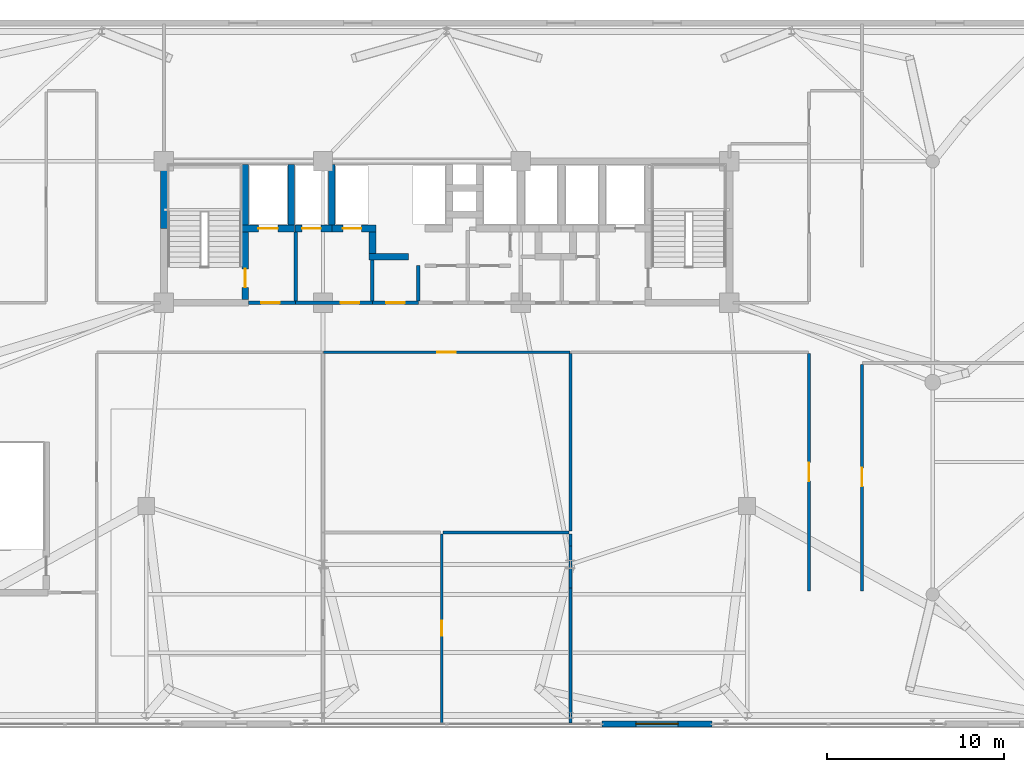
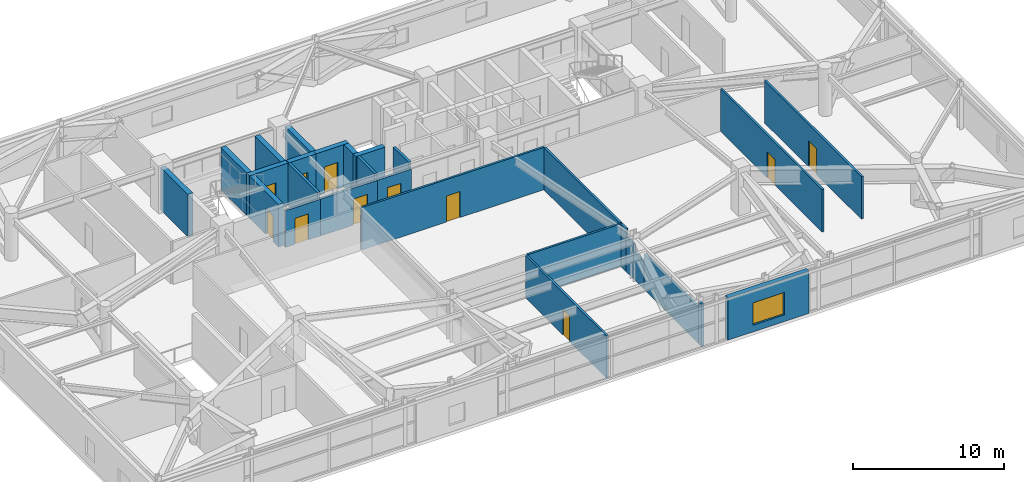
# One storey, part 21 of 27: 28 walls, 11 doors, 1 window, 12 openings.
"""IFC4 building model written with IfcOpenShell, lengths in metres."""

from ifc_helpers import new_model, si_unit, direction, frame, frame_2d, origin, place, context, subcontext, project, spatial, rectangle, extrude, source, transform, mapped, material, layer, layer_set, type_object, element, fill, save


model = new_model("IFC4")

# Units and contexts
model_context = context("Model", 3, precision=1e-05, world=origin(), true_north=direction((0.0, 1.0)))
body_context = subcontext(model_context, "Body", "Model", "MODEL_VIEW")
ifc_project = project(units=[si_unit("LENGTHUNIT", "METRE"), si_unit("AREAUNIT", "SQUARE_METRE"), si_unit("VOLUMEUNIT", "CUBIC_METRE"), si_unit("PLANEANGLEUNIT", "RADIAN"), si_unit("MASSUNIT", "GRAM", prefix="KILO")], contexts=[model_context])

# Site, building, storey
site_placement = place(None, origin())
site = spatial("IfcSite", under=ifc_project, at=site_placement, CompositionType="ELEMENT")
building_placement = place(site_placement, origin())
building = spatial("IfcBuilding", under=site, at=building_placement, Name="Taldren Reach Tower", CompositionType="ELEMENT")
storey_placement = place(building_placement, frame((0.0, 0.0, 12.949951171875)))
storey = spatial("IfcBuildingStorey", under=building, at=storey_placement, Name="L03", CompositionType="ELEMENT", Elevation=12.949951171875)

# Wall, opening, window
ifc_material_1 = material(Name="Pale Champagne Anodised Aluminium Cladding", Category="aluminium")
ifc_layer_1 = layer(ifc_material_1, 0.04, Name="Pale Champagne Anodised Aluminium Cladding", Category="aluminium")
ifc_material_2 = material(Name="Mineral Wool Thermal Insulation", Category="insulation")
ifc_layer_2 = layer(ifc_material_2, 0.08, Name="Mineral Wool Thermal Insulation", Category="insulation")
ifc_material_3 = material(Name="Concrete S50 (50 MPa)", Category="concrete")
ifc_layer_3 = layer(ifc_material_3, 0.22, Name="Concrete S50 (50 MPa)", Category="concrete")
ifc_layer_set_1 = layer_set([ifc_layer_1, ifc_layer_2, ifc_layer_3], Name="Pale Champagne Aluminium Cladding and Precast Concrete 50 MPa (S50)")
wall_type_1 = type_object("IfcWallType", Name="EW-POD-340", PredefinedType="SOLIDWALL", material=ifc_layer_set_1)
shared_shape_1 = source(origin(), body_context, "Body", "SweptSolid", [
    extrude(rectangle(XDim=6.199951171875, YDim=0.340087890625, at=frame_2d((3.10009765625, 0.0))), origin(), (0.0, 0.0, 1.0), 3.429931640625),
])
wall_1_placement = place(storey_placement, frame((43.800048828125, 0.169921875, 0.0), z_axis=(0.0, 0.0, 1.0), x_axis=(1.0, 0.0, 0.0)))
wall_1 = element("IfcWall", 1, at=wall_1_placement, inside=storey, type_object=wall_type_1, Name="Podium south facade wall L03-S3", PredefinedType="SOLIDWALL", context=body_context, shape_type="MappedRepresentation", body=[
    mapped(shared_shape_1, transform((0.0, 0.0, 0.0), scale=1.0)),
])
shared_shape_2 = source(origin(), body_context, "Body", "SweptSolid", [
    extrude(rectangle(XDim=2.39990234375, YDim=1.800048828125, at=frame_2d((1.199951171875, 0.89990234375))), frame((0.0, 0.18017578125, 0.0), z_axis=(0.0, -1.0, 0.0), x_axis=(1.0, 0.0, 0.0)), (0.0, 0.0, 1.0), 0.360107421875),
])
opening_1_placement = place(wall_1_placement, frame((1.89990234375, 0.0, 0.550048828125)))
opening_1 = element("IfcOpeningElement", 2, at=opening_1_placement, cuts=wall_1, Name="Opening W-2418", PredefinedType="OPENING", context=body_context, shape_type="MappedRepresentation", body=[
    mapped(shared_shape_2, transform((0.0, 0.0, 0.0), scale=1.0)),
])
ifc_material_4 = material(Name="Thermally Broken Aluminium and Low-E IGU", Category="aluminium")
window_type = type_object("IfcWindowType", Name="WN-POD-2400", PartitioningType="SINGLE_PANEL", PredefinedType="WINDOW", material=ifc_material_4)
shared_shape_3 = source(origin(), body_context, "Body", "SweptSolid", [
    extrude(rectangle(XDim=2.39990234375, YDim=1.800048828125, at=frame_2d((1.199951171875, 0.89990234375))), frame((0.0, 0.030029296875, 0.0), z_axis=(0.0, -1.0, 0.0), x_axis=(1.0, 0.0, 0.0)), (0.0, 0.0, 1.0), 0.06005859375),
])
window_placement = place(opening_1_placement, origin())
window = element("IfcWindow", 3, at=window_placement, inside=storey, type_object=window_type, Name="Podium clinical window L03-S3", OverallHeight=1.800048828125, OverallWidth=2.39990234375, PartitioningType="SINGLE_PANEL", PredefinedType="WINDOW", context=body_context, shape_type="MappedRepresentation", body=[
    mapped(shared_shape_3, transform((0.0, 0.0, 0.0), scale=1.0)),
])
fill(opening_1, window)

# Walls
ifc_material_5 = material(Name="Concrete S80 (80 MPa)", Category="concrete")
ifc_layer_4 = layer(ifc_material_5, 0.3798828125)
ifc_layer_set_2 = layer_set([ifc_layer_4], Name="Concrete S80 (80 MPa)")
wall_type_2 = type_object("IfcWallType", Name="IW-CORE-380", PredefinedType="SHEAR", material=ifc_layer_set_2)
shared_shape_4 = source(origin(), body_context, "Body", "SweptSolid", [
    extrude(rectangle(XDim=3.610107421875, YDim=0.3798828125, at=frame_2d((1.80517578125, 0.0))), origin(), (0.0, 0.0, 1.0), 3.429931640625),
])
wall_2_placement = place(storey_placement, frame((19.0, 28.199951171875, 0.0), z_axis=(0.0, 0.0, 1.0), x_axis=(0.0, 1.0, 0.0)))
element("IfcWall", 4, at=wall_2_placement, inside=storey, type_object=wall_type_2, Name="Rear Core Shear Wall W-CORE-L03-WEST2", PredefinedType="SHEAR", context=body_context, shape_type="MappedRepresentation", body=[
    mapped(shared_shape_4, transform((0.0, 0.0, 0.0), scale=1.0)),
])
shared_shape_5 = source(origin(), body_context, "Body", "SweptSolid", [
    extrude(rectangle(XDim=3.420166015625, YDim=0.3798828125, at=frame_2d((1.7099609375, 0.0))), origin(), (0.0, 0.0, 1.0), 3.429931640625),
])
for number, where, z_axis, x_axis, name in (
    (5, (23.60009765625, 28.389892578125, 0.0), (0.0, 0.0, 1.0), (0.0, 1.0, 0.0), "Rear Core Shear Wall W-INT-L03-001"),
    (6, (26.199951171875, 28.389892578125, 0.0), (0.0, 0.0, 1.0), (0.0, 1.0, 0.0), "Rear Core Shear Wall W-INT-L03-005"),
    (7, (28.5, 28.389892578125, 0.0), (0.0, 0.0, 1.0), (0.0, 1.0, 0.0), "Rear Core Shear Wall W-INT-L03-030"),
):
    element("IfcWall", number, at=place(storey_placement, frame(where, z_axis=z_axis, x_axis=x_axis)), inside=storey, type_object=wall_type_2, Name=name, PredefinedType="SHEAR", context=body_context, shape_type="MappedRepresentation", body=[
        mapped(shared_shape_5, transform((0.0, 0.0, 0.0), scale=1.0)),
    ])

# Wall, opening, door
shared_shape_6 = source(origin(), body_context, "Body", "SweptSolid", [
    extrude(rectangle(XDim=3.820068359375, YDim=0.3798828125, at=frame_2d((1.91015625, 0.0))), origin(), (0.0, 0.0, 1.0), 3.429931640625),
])
wall_3_placement = place(storey_placement, frame((23.60009765625, 24.18994140625, 0.0), z_axis=(0.0, 0.0, 1.0), x_axis=(0.0, 1.0, 0.0)))
wall_3 = element("IfcWall", 8, at=wall_3_placement, inside=storey, type_object=wall_type_2, Name="Rear Core Shear Wall W-INT-L03-002", PredefinedType="SHEAR", context=body_context, shape_type="MappedRepresentation", body=[
    mapped(shared_shape_6, transform((0.0, 0.0, 0.0), scale=1.0)),
])
shared_shape_7 = source(origin(), body_context, "Body", "SweptSolid", [
    extrude(rectangle(XDim=1.050048828125, YDim=2.10009765625, at=frame_2d((0.52490234375, 1.050048828125))), frame((0.0, 0.199951171875, 0.0), z_axis=(0.0, -1.0, 0.0), x_axis=(1.0, 0.0, 0.0)), (0.0, 0.0, 1.0), 0.39990234375),
])
opening_2_placement = place(wall_3_placement, frame((0.68505859375, 0.0, 0.0)))
opening_2 = element("IfcOpeningElement", 9, at=opening_2_placement, cuts=wall_3, Name="Opening DF-105", PredefinedType="OPENING", context=body_context, shape_type="MappedRepresentation", body=[
    mapped(shared_shape_7, transform((0.0, 0.0, 0.0), scale=1.0)),
])
ifc_material_6 = material(Name="Fire-Rated Care and Stair Exit Door")
door_type_1 = type_object("IfcDoorType", Name="ID-FIRE-105", OperationType="NOTDEFINED", PredefinedType="DOOR", material=ifc_material_6)
shared_shape_8 = source(origin(), body_context, "Body", "SweptSolid", [
    extrude(rectangle(XDim=1.050048828125, YDim=2.10009765625, at=frame_2d((0.52490234375, 1.050048828125))), frame((0.0, 0.02490234375, 0.0), z_axis=(0.0, -1.0, 0.0), x_axis=(1.0, 0.0, 0.0)), (0.0, 0.0, 1.0), 0.050048828125),
])
door_1_placement = place(opening_2_placement, origin())
door_1 = element("IfcDoor", 10, at=door_1_placement, inside=storey, type_object=door_type_1, Name="Fire Exit Stair Door DR-L03-001", OperationType="SINGLE_SWING_LEFT", OverallHeight=2.10009765625, OverallWidth=1.050048828125, PredefinedType="DOOR", context=body_context, shape_type="MappedRepresentation", body=[
    mapped(shared_shape_8, transform((0.0, 0.0, 0.0), scale=1.0)),
])
fill(opening_2, door_1)

shared_shape_9 = source(origin(), body_context, "Body", "SweptSolid", [
    extrude(rectangle(XDim=2.97998046875, YDim=0.3798828125, at=frame_2d((1.489990234375, 0.0))), origin(), (0.0, 0.0, 1.0), 3.429931640625),
])
wall_4_placement = place(storey_placement, frame((23.409912109375, 28.199951171875, 0.0), z_axis=(0.0, 0.0, 1.0), x_axis=(1.0, 0.0, 0.0)))
wall_4 = element("IfcWall", 11, at=wall_4_placement, inside=storey, type_object=wall_type_2, Name="Rear Core Shear Wall W-INT-L03-004", PredefinedType="SHEAR", context=body_context, shape_type="MappedRepresentation", body=[
    mapped(shared_shape_9, transform((0.0, 0.0, 0.0), scale=1.0)),
])
shared_shape_10 = source(origin(), body_context, "Body", "SweptSolid", [
    extrude(rectangle(XDim=1.10009765625, YDim=2.14990234375, at=frame_2d((0.550048828125, 1.074951171875))), frame((0.0, 0.199951171875, 0.0), z_axis=(0.0, -1.0, 0.0), x_axis=(1.0, 0.0, 0.0)), (0.0, 0.0, 1.0), 0.39990234375),
])
opening_3_placement = place(wall_4_placement, frame((0.93994140625, 0.0, 0.0)))
opening_3 = element("IfcOpeningElement", 12, at=opening_3_placement, cuts=wall_4, Name="Opening LD-FL1", PredefinedType="OPENING", context=body_context, shape_type="MappedRepresentation", body=[
    mapped(shared_shape_10, transform((0.0, 0.0, 0.0), scale=1.0)),
])
ifc_material_7 = material(Name="Stainless Steel Gr 316 Emergency Lift Landing Door", Category="steel")
door_type_2 = type_object("IfcDoorType", Name="LD-EMG-110", OperationType="SLIDING_TO_LEFT", PredefinedType="DOOR", material=ifc_material_7)
shared_shape_11 = source(origin(), body_context, "Body", "SweptSolid", [
    extrude(rectangle(XDim=1.10009765625, YDim=2.14990234375, at=frame_2d((0.550048828125, 1.074951171875))), frame((0.0, 0.02490234375, 0.0), z_axis=(0.0, -1.0, 0.0), x_axis=(1.0, 0.0, 0.0)), (0.0, 0.0, 1.0), 0.050048828125),
])
door_2_placement = place(opening_3_placement, origin())
door_2 = element("IfcDoor", 13, at=door_2_placement, inside=storey, type_object=door_type_2, Name="Lift Landing Door LD-FL1-L03", OperationType="SLIDING_TO_LEFT", OverallHeight=2.14990234375, OverallWidth=1.10009765625, PredefinedType="DOOR", context=body_context, shape_type="MappedRepresentation", body=[
    mapped(shared_shape_11, transform((0.0, 0.0, 0.0), scale=1.0)),
])
fill(opening_3, door_2)

# Wall
ifc_layer_5 = layer(ifc_material_3, 0.199951171875)
ifc_layer_set_3 = layer_set([ifc_layer_5], Name="Concrete S50 (50 MPa)")
wall_type_3 = type_object("IfcWallType", Name="IW-CORE-200", PredefinedType="SOLIDWALL", material=ifc_layer_set_3)
shared_shape_12 = source(origin(), body_context, "Body", "SweptSolid", [
    extrude(rectangle(XDim=3.909912109375, YDim=0.199951171875, at=frame_2d((1.955078125, 0.0))), origin(), (0.0, 0.0, 1.0), 3.429931640625),
])
wall_5_placement = place(storey_placement, frame((26.449951171875, 24.10009765625, 0.0), z_axis=(0.0, 0.0, 1.0), x_axis=(0.0, 1.0, 0.0)))
element("IfcWall", 14, at=wall_5_placement, inside=storey, type_object=wall_type_3, Name="Rear Core Shear Wall W-INT-L03-006", PredefinedType="SOLIDWALL", context=body_context, shape_type="MappedRepresentation", body=[
    mapped(shared_shape_12, transform((0.0, 0.0, 0.0), scale=1.0)),
])

# Wall, opening, door
shared_shape_13 = source(origin(), body_context, "Body", "SweptSolid", [
    extrude(rectangle(XDim=2.659912109375, YDim=0.199951171875, at=frame_2d((1.330078125, 0.0))), origin(), (0.0, 0.0, 1.0), 2.969970703125),
])
wall_6_placement = place(storey_placement, frame((23.7900390625, 24.0, 0.0), z_axis=(0.0, 0.0, 1.0), x_axis=(1.0, 0.0, 0.0)))
wall_6 = element("IfcWall", 15, at=wall_6_placement, inside=storey, type_object=wall_type_3, Name="Rear Core Shear Wall W-INT-L03-007", PredefinedType="SOLIDWALL", context=body_context, shape_type="MappedRepresentation", body=[
    mapped(shared_shape_13, transform((0.0, 0.0, 0.0), scale=1.0)),
])
shared_shape_14 = source(origin(), body_context, "Body", "SweptSolid", [
    extrude(rectangle(XDim=1.050048828125, YDim=2.10009765625, at=frame_2d((0.52490234375, 1.050048828125))), frame((0.0, 0.10986328125, 0.0), z_axis=(0.0, -1.0, 0.0), x_axis=(1.0, 0.0, 0.0)), (0.0, 0.0, 1.0), 0.219970703125),
])
opening_4_placement = place(wall_6_placement, frame((0.7099609375, 0.0, 0.0)))
opening_4 = element("IfcOpeningElement", 16, at=opening_4_placement, cuts=wall_6, Name="Opening DF-105", PredefinedType="OPENING", context=body_context, shape_type="MappedRepresentation", body=[
    mapped(shared_shape_14, transform((0.0, 0.0, 0.0), scale=1.0)),
])
door_3_placement = place(opening_4_placement, origin())
door_3 = element("IfcDoor", 17, at=door_3_placement, inside=storey, type_object=door_type_1, Name="Interior Door DR-L03-002", OperationType="SINGLE_SWING_LEFT", OverallHeight=2.10009765625, OverallWidth=1.050048828125, PredefinedType="DOOR", context=body_context, shape_type="MappedRepresentation", body=[
    mapped(shared_shape_8, transform((0.0, 0.0, 0.0), scale=1.0)),
])
fill(opening_4, door_3)

# Walls
shared_shape_15 = source(origin(), body_context, "Body", "SweptSolid", [
    extrude(rectangle(XDim=1.219970703125, YDim=0.3798828125, at=frame_2d((0.60986328125, 0.0))), origin(), (0.0, 0.0, 1.0), 3.429931640625),
])
wall_7_placement = place(storey_placement, frame((30.800048828125, 28.010009765625, 0.0), z_axis=(0.0, 0.0, 1.0), x_axis=(0.0, -1.0, 0.0)))
element("IfcWall", 18, at=wall_7_placement, inside=storey, type_object=wall_type_2, Name="Rear Core Shear Wall W-INT-L03-022", PredefinedType="SHEAR", context=body_context, shape_type="MappedRepresentation", body=[
    mapped(shared_shape_15, transform((0.0, 0.0, 0.0), scale=1.0)),
])
shared_shape_16 = source(origin(), body_context, "Body", "SweptSolid", [
    extrude(rectangle(XDim=2.239990234375, YDim=0.3798828125, at=frame_2d((1.1201171875, 0.0))), origin(), (0.0, 0.0, 1.0), 3.429931640625),
])
wall_8_placement = place(storey_placement, frame((30.610107421875, 26.60009765625, 0.0), z_axis=(0.0, 0.0, 1.0), x_axis=(1.0, 0.0, 0.0)))
element("IfcWall", 19, at=wall_8_placement, inside=storey, type_object=wall_type_2, Name="Rear Core Shear Wall W-INT-L03-023", PredefinedType="SHEAR", context=body_context, shape_type="MappedRepresentation", body=[
    mapped(shared_shape_16, transform((0.0, 0.0, 0.0), scale=1.0)),
])

# Wall, opening, door
shared_shape_17 = source(origin(), body_context, "Body", "SweptSolid", [
    extrude(rectangle(XDim=2.070068359375, YDim=0.3798828125, at=frame_2d((1.03515625, 0.0))), origin(), (0.0, 0.0, 1.0), 3.429931640625),
])
wall_9_placement = place(storey_placement, frame((26.429931640625, 28.199951171875, 0.0), z_axis=(0.0, 0.0, 1.0), x_axis=(1.0, 0.0, 0.0)))
wall_9 = element("IfcWall", 20, at=wall_9_placement, inside=storey, type_object=wall_type_2, Name="Rear Core Shear Wall W-INT-L03-031", PredefinedType="SHEAR", context=body_context, shape_type="MappedRepresentation", body=[
    mapped(shared_shape_17, transform((0.0, 0.0, 0.0), scale=1.0)),
])
shared_shape_18 = source(origin(), body_context, "Body", "SweptSolid", [
    extrude(rectangle(XDim=1.050048828125, YDim=2.14990234375, at=frame_2d((0.52490234375, 1.074951171875))), frame((0.0, 0.199951171875, 0.0), z_axis=(0.0, -1.0, 0.0), x_axis=(1.0, 0.0, 0.0)), (0.0, 0.0, 1.0), 0.39990234375),
])
opening_5_placement = place(wall_9_placement, frame((0.39501953125, 0.0, 0.0)))
opening_5 = element("IfcOpeningElement", 21, at=opening_5_placement, cuts=wall_9, Name="Opening LD-PL1", PredefinedType="OPENING", context=body_context, shape_type="MappedRepresentation", body=[
    mapped(shared_shape_18, transform((0.0, 0.0, 0.0), scale=1.0)),
])
ifc_material_8 = material(Name="Stainless Steel Gr 316 Passenger Lift Landing Door", Category="steel")
door_type_3 = type_object("IfcDoorType", Name="LD-PAS-105", OperationType="SLIDING_TO_LEFT", PredefinedType="DOOR", material=ifc_material_8)
shared_shape_19 = source(origin(), body_context, "Body", "SweptSolid", [
    extrude(rectangle(XDim=1.050048828125, YDim=2.14990234375, at=frame_2d((0.52490234375, 1.074951171875))), frame((0.0, 0.02490234375, 0.0), z_axis=(0.0, -1.0, 0.0), x_axis=(1.0, 0.0, 0.0)), (0.0, 0.0, 1.0), 0.050048828125),
])
door_4_placement = place(opening_5_placement, origin())
door_4 = element("IfcDoor", 22, at=door_4_placement, inside=storey, type_object=door_type_3, Name="Lift Landing Door LD-PL1-L03", OperationType="SLIDING_TO_LEFT", OverallHeight=2.14990234375, OverallWidth=1.050048828125, PredefinedType="DOOR", context=body_context, shape_type="MappedRepresentation", body=[
    mapped(shared_shape_19, transform((0.0, 0.0, 0.0), scale=1.0)),
])
fill(opening_5, door_4)

shared_shape_20 = source(origin(), body_context, "Body", "SweptSolid", [
    extrude(rectangle(XDim=2.489990234375, YDim=0.3798828125, at=frame_2d((1.2451171875, 0.0))), origin(), (0.0, 0.0, 1.0), 3.429931640625),
])
wall_10_placement = place(storey_placement, frame((28.5, 28.199951171875, 0.0), z_axis=(0.0, 0.0, 1.0), x_axis=(1.0, 0.0, 0.0)))
wall_10 = element("IfcWall", 23, at=wall_10_placement, inside=storey, type_object=wall_type_2, Name="Rear Core Shear Wall W-INT-L03-032", PredefinedType="SHEAR", context=body_context, shape_type="MappedRepresentation", body=[
    mapped(shared_shape_20, transform((0.0, 0.0, 0.0), scale=1.0)),
])
opening_6_placement = place(wall_10_placement, frame((0.625, 0.0, 0.0)))
opening_6 = element("IfcOpeningElement", 24, at=opening_6_placement, cuts=wall_10, Name="Opening LD-PL2", PredefinedType="OPENING", context=body_context, shape_type="MappedRepresentation", body=[
    mapped(shared_shape_18, transform((0.0, 0.0, 0.0), scale=1.0)),
])
door_5_placement = place(opening_6_placement, origin())
door_5 = element("IfcDoor", 25, at=door_5_placement, inside=storey, type_object=door_type_3, Name="Lift Landing Door LD-PL2-L03", OperationType="SLIDING_TO_LEFT", OverallHeight=2.14990234375, OverallWidth=1.050048828125, PredefinedType="DOOR", context=body_context, shape_type="MappedRepresentation", body=[
    mapped(shared_shape_19, transform((0.0, 0.0, 0.0), scale=1.0)),
])
fill(opening_6, door_5)

# Wall
shared_shape_21 = source(origin(), body_context, "Body", "SweptSolid", [
    extrude(rectangle(XDim=2.309814453125, YDim=0.199951171875, at=frame_2d((1.15478515625, 0.0))), origin(), (0.0, 0.0, 1.0), 3.429931640625),
])
wall_11_placement = place(storey_placement, frame((30.800048828125, 26.409912109375, 0.0), z_axis=(0.0, 0.0, 1.0), x_axis=(0.0, -1.0, 0.0)))
element("IfcWall", 26, at=wall_11_placement, inside=storey, type_object=wall_type_3, Name="Rear Core Shear Wall W-INT-L03-033", PredefinedType="SOLIDWALL", context=body_context, shape_type="MappedRepresentation", body=[
    mapped(shared_shape_21, transform((0.0, 0.0, 0.0), scale=1.0)),
])

# Wall, opening, door
shared_shape_22 = source(origin(), body_context, "Body", "SweptSolid", [
    extrude(rectangle(XDim=4.35009765625, YDim=0.199951171875, at=frame_2d((2.175048828125, 0.0))), origin(), (0.0, 0.0, 1.0), 2.969970703125),
])
wall_12_placement = place(storey_placement, frame((30.800048828125, 24.0, 0.0), z_axis=(0.0, 0.0, 1.0), x_axis=(-1.0, 0.0, 0.0)))
wall_12 = element("IfcWall", 27, at=wall_12_placement, inside=storey, type_object=wall_type_3, Name="Rear Core Shear Wall W-INT-L03-034", PredefinedType="SOLIDWALL", context=body_context, shape_type="MappedRepresentation", body=[
    mapped(shared_shape_22, transform((0.0, 0.0, 0.0), scale=1.0)),
])
opening_7_placement = place(wall_12_placement, frame((0.75, 0.0, 0.0)))
opening_7 = element("IfcOpeningElement", 28, at=opening_7_placement, cuts=wall_12, Name="Opening DF-105", PredefinedType="OPENING", context=body_context, shape_type="MappedRepresentation", body=[
    mapped(shared_shape_14, transform((0.0, 0.0, 0.0), scale=1.0)),
])
door_6_placement = place(opening_7_placement, frame((1.050048828125, 0.0, 0.0), z_axis=(0.0, 0.0, 1.0), x_axis=(-1.0, 0.0, 0.0)))
door_6 = element("IfcDoor", 29, at=door_6_placement, inside=storey, type_object=door_type_1, Name="Interior Door DR-L03-005", OperationType="SINGLE_SWING_RIGHT", OverallHeight=2.10009765625, OverallWidth=1.050048828125, PredefinedType="DOOR", context=body_context, shape_type="MappedRepresentation", body=[
    mapped(shared_shape_8, transform((0.0, 0.0, 0.0), scale=1.0)),
])
fill(opening_7, door_6)

# Wall
shared_shape_23 = source(origin(), body_context, "Body", "SweptSolid", [
    extrude(rectangle(XDim=2.02001953125, YDim=0.199951171875, at=frame_2d((1.010009765625, 0.0))), origin(), (0.0, 0.0, 1.0), 3.429931640625),
])
wall_13_placement = place(storey_placement, frame((33.39990234375, 26.1201171875, 0.0), z_axis=(0.0, 0.0, 1.0), x_axis=(0.0, -1.0, 0.0)))
element("IfcWall", 30, at=wall_13_placement, inside=storey, type_object=wall_type_3, Name="Rear Core Shear Wall W-INT-L03-044", PredefinedType="SOLIDWALL", context=body_context, shape_type="MappedRepresentation", body=[
    mapped(shared_shape_23, transform((0.0, 0.0, 0.0), scale=1.0)),
])

# Wall, opening, door
shared_shape_24 = source(origin(), body_context, "Body", "SweptSolid", [
    extrude(rectangle(XDim=2.599853515625, YDim=0.199951171875, at=frame_2d((1.2998046875, 0.0))), origin(), (0.0, 0.0, 1.0), 2.969970703125),
])
wall_14_placement = place(storey_placement, frame((33.39990234375, 24.0, 0.0), z_axis=(0.0, 0.0, 1.0), x_axis=(-1.0, 0.0, 0.0)))
wall_14 = element("IfcWall", 31, at=wall_14_placement, inside=storey, type_object=wall_type_3, Name="Rear Core Shear Wall W-INT-L03-045", PredefinedType="SOLIDWALL", context=body_context, shape_type="MappedRepresentation", body=[
    mapped(shared_shape_24, transform((0.0, 0.0, 0.0), scale=1.0)),
])
opening_8_placement = place(wall_14_placement, frame((0.77490234375, 0.0, 0.0)))
opening_8 = element("IfcOpeningElement", 32, at=opening_8_placement, cuts=wall_14, Name="Opening DF-105", PredefinedType="OPENING", context=body_context, shape_type="MappedRepresentation", body=[
    mapped(shared_shape_14, transform((0.0, 0.0, 0.0), scale=1.0)),
])
door_7_placement = place(opening_8_placement, frame((1.050048828125, 0.0, 0.0), z_axis=(0.0, 0.0, 1.0), x_axis=(-1.0, 0.0, 0.0)))
door_7 = element("IfcDoor", 33, at=door_7_placement, inside=storey, type_object=door_type_1, Name="Interior Door DR-L03-006", OperationType="SINGLE_SWING_RIGHT", OverallHeight=2.10009765625, OverallWidth=1.050048828125, PredefinedType="DOOR", context=body_context, shape_type="MappedRepresentation", body=[
    mapped(shared_shape_8, transform((0.0, 0.0, 0.0), scale=1.0)),
])
fill(opening_8, door_7)

ifc_material_9 = material(Name="Fire-Rated Acoustic Plasterboard Stud Wall", Category="gypsum")
ifc_layer_6 = layer(ifc_material_9, 0.159912109375)
ifc_layer_set_4 = layer_set([ifc_layer_6], Name="Fire-Rated Acoustic Plasterboard Stud Wall")
wall_type_4 = type_object("IfcWallType", Name="IW-FIRE-160", PredefinedType="PARTITIONING", material=ifc_layer_set_4)
shared_shape_25 = source(origin(), body_context, "Body", "SweptSolid", [
    extrude(rectangle(XDim=13.440185546875, YDim=0.159912109375, at=frame_2d((6.72021484375, 0.0))), origin(), (0.0, 0.0, 1.0), 3.429931640625),
])
wall_15_placement = place(storey_placement, frame((55.5, 7.679931640625, 0.0), z_axis=(0.0, 0.0, 1.0), x_axis=(0.0, 1.0, 0.0)))
wall_15 = element("IfcWall", 34, at=wall_15_placement, inside=storey, type_object=wall_type_4, Name="Interior Partition Wall W-INT-L03-067", PredefinedType="PARTITIONING", context=body_context, shape_type="MappedRepresentation", body=[
    mapped(shared_shape_25, transform((0.0, 0.0, 0.0), scale=1.0)),
])
shared_shape_26 = source(origin(), body_context, "Body", "SweptSolid", [
    extrude(rectangle(XDim=1.050048828125, YDim=2.10009765625, at=frame_2d((0.52490234375, 1.050048828125))), frame((0.0, 0.08984375, 0.0), z_axis=(0.0, -1.0, 0.0), x_axis=(1.0, 0.0, 0.0)), (0.0, 0.0, 1.0), 0.179931640625),
])
opening_9_placement = place(wall_15_placement, frame((6.224853515625, 0.0, 0.0)))
opening_9 = element("IfcOpeningElement", 35, at=opening_9_placement, cuts=wall_15, Name="Opening DF-105", PredefinedType="OPENING", context=body_context, shape_type="MappedRepresentation", body=[
    mapped(shared_shape_26, transform((0.0, 0.0, 0.0), scale=1.0)),
])
door_8_placement = place(opening_9_placement, origin())
door_8 = element("IfcDoor", 36, at=door_8_placement, inside=storey, type_object=door_type_1, Name="Interior Door DR-L03-017", OperationType="SINGLE_SWING_RIGHT", OverallHeight=2.10009765625, OverallWidth=1.050048828125, PredefinedType="DOOR", context=body_context, shape_type="MappedRepresentation", body=[
    mapped(shared_shape_8, transform((0.0, 0.0, 0.0), scale=1.0)),
])
fill(opening_9, door_8)

shared_shape_27 = source(origin(), body_context, "Body", "SweptSolid", [
    extrude(rectangle(XDim=13.95947265625, YDim=0.159912109375, at=frame_2d((6.979736328125, 0.0))), origin(), (0.0, 0.0, 1.0), 3.429931640625),
])
wall_16_placement = place(storey_placement, frame((41.979736328125, 21.199951171875, 0.0), z_axis=(0.0, 0.0, 1.0), x_axis=(-1.0, 0.0, 0.0)))
wall_16 = element("IfcWall", 37, at=wall_16_placement, inside=storey, type_object=wall_type_4, Name="Interior Partition Wall W-INT-L03-066", PredefinedType="PARTITIONING", context=body_context, shape_type="MappedRepresentation", body=[
    mapped(shared_shape_27, transform((0.0, 0.0, 0.0), scale=1.0)),
])
opening_10_placement = place(wall_16_placement, frame((6.454833984375, 0.0, 0.0)))
opening_10 = element("IfcOpeningElement", 38, at=opening_10_placement, cuts=wall_16, Name="Opening DF-105", PredefinedType="OPENING", context=body_context, shape_type="MappedRepresentation", body=[
    mapped(shared_shape_26, transform((0.0, 0.0, 0.0), scale=1.0)),
])
door_9_placement = place(opening_10_placement, origin())
door_9 = element("IfcDoor", 39, at=door_9_placement, inside=storey, type_object=door_type_1, Name="Interior Door DR-L03-016", OperationType="SINGLE_SWING_LEFT", OverallHeight=2.10009765625, OverallWidth=1.050048828125, PredefinedType="DOOR", context=body_context, shape_type="MappedRepresentation", body=[
    mapped(shared_shape_8, transform((0.0, 0.0, 0.0), scale=1.0)),
])
fill(opening_10, door_9)

shared_shape_28 = source(origin(), body_context, "Body", "SweptSolid", [
    extrude(rectangle(XDim=12.840087890625, YDim=0.159912109375, at=frame_2d((6.419921875, 0.0))), origin(), (0.0, 0.0, 1.0), 3.429931640625),
])
wall_17_placement = place(storey_placement, frame((58.5, 20.52001953125, 0.0), z_axis=(0.0, 0.0, 1.0), x_axis=(0.0, -1.0, 0.0)))
wall_17 = element("IfcWall", 40, at=wall_17_placement, inside=storey, type_object=wall_type_4, Name="Interior Partition Wall W-INT-L03-076", PredefinedType="PARTITIONING", context=body_context, shape_type="MappedRepresentation", body=[
    mapped(shared_shape_28, transform((0.0, 0.0, 0.0), scale=1.0)),
])
opening_11_placement = place(wall_17_placement, frame((5.864990234375, 0.0, 0.0)))
opening_11 = element("IfcOpeningElement", 41, at=opening_11_placement, cuts=wall_17, Name="Opening DF-105", PredefinedType="OPENING", context=body_context, shape_type="MappedRepresentation", body=[
    mapped(shared_shape_26, transform((0.0, 0.0, 0.0), scale=1.0)),
])
door_10_placement = place(opening_11_placement, origin())
door_10 = element("IfcDoor", 42, at=door_10_placement, inside=storey, type_object=door_type_1, Name="Interior Door DR-L03-021", OperationType="SINGLE_SWING_RIGHT", OverallHeight=2.10009765625, OverallWidth=1.050048828125, PredefinedType="DOOR", context=body_context, shape_type="MappedRepresentation", body=[
    mapped(shared_shape_8, transform((0.0, 0.0, 0.0), scale=1.0)),
])
fill(opening_11, door_10)

# Walls
shared_shape_29 = source(origin(), body_context, "Body", "SweptSolid", [
    extrude(rectangle(XDim=1.37255859375, YDim=0.159912109375, at=frame_2d((0.686279296875, 0.0))), origin(), (0.0, 0.0, 1.0), 2.22998046875),
])
wall_18_placement = place(storey_placement, frame((42.0, 9.219970703125, 0.0), z_axis=(0.0, 0.0, 1.0), x_axis=(0.0, -1.0, 0.0)))
element("IfcWall", 43, at=wall_18_placement, inside=storey, type_object=wall_type_4, Name="Interior Partition Wall W-INT-L03-089 part 3", PredefinedType="PARTITIONING", context=body_context, shape_type="MappedRepresentation", body=[
    mapped(shared_shape_29, transform((0.0, 0.0, 0.0), scale=1.0)),
])
shared_shape_30 = source(origin(), body_context, "Body", "SweptSolid", [
    extrude(rectangle(XDim=7.197509765625, YDim=0.159912109375, at=frame_2d((3.5986328125, 0.0))), origin(), (0.0, 0.0, 1.0), 2.89697265625),
])
wall_19_placement = place(storey_placement, frame((42.0, 7.847412109375, 0.0), z_axis=(0.0, 0.0, 1.0), x_axis=(0.0, -1.0, 0.0)))
element("IfcWall", 44, at=wall_19_placement, inside=storey, type_object=wall_type_4, Name="Interior Partition Wall W-INT-L03-089 part 4", PredefinedType="PARTITIONING", context=body_context, shape_type="MappedRepresentation", body=[
    mapped(shared_shape_30, transform((0.0, 0.0, 0.0), scale=1.0)),
])

# Wall, opening, door
shared_shape_31 = source(origin(), body_context, "Body", "SweptSolid", [
    extrude(rectangle(XDim=10.68994140625, YDim=0.159912109375, at=frame_2d((5.344970703125, 0.0))), origin(), (0.0, 0.0, 1.0), 3.429931640625),
])
wall_20_placement = place(storey_placement, frame((34.719970703125, 10.919921875, 0.0), z_axis=(0.0, 0.0, 1.0), x_axis=(0.0, -1.0, 0.0)))
wall_20 = element("IfcWall", 45, at=wall_20_placement, inside=storey, type_object=wall_type_4, Name="Interior Partition Wall W-INT-L03-086", PredefinedType="PARTITIONING", context=body_context, shape_type="MappedRepresentation", body=[
    mapped(shared_shape_31, transform((0.0, 0.0, 0.0), scale=1.0)),
])
shared_shape_32 = source(origin(), body_context, "Body", "SweptSolid", [
    extrude(rectangle(XDim=0.860107421875, YDim=2.10009765625, at=frame_2d((0.43017578125, 1.050048828125))), frame((0.0, 0.08984375, 0.0), z_axis=(0.0, -1.0, 0.0), x_axis=(1.0, 0.0, 0.0)), (0.0, 0.0, 1.0), 0.179931640625),
])
opening_12_placement = place(wall_20_placement, frame((4.9150390625, 0.0, 0.0)))
opening_12 = element("IfcOpeningElement", 46, at=opening_12_placement, cuts=wall_20, Name="Opening DI-086", PredefinedType="OPENING", context=body_context, shape_type="MappedRepresentation", body=[
    mapped(shared_shape_32, transform((0.0, 0.0, 0.0), scale=1.0)),
])
ifc_material_10 = material(Name="Timber Bathroom Door", Category="wood")
door_type_4 = type_object("IfcDoorType", Name="ID-INT-086", OperationType="NOTDEFINED", PredefinedType="DOOR", material=ifc_material_10)
shared_shape_33 = source(origin(), body_context, "Body", "SweptSolid", [
    extrude(rectangle(XDim=0.860107421875, YDim=2.10009765625, at=frame_2d((0.43017578125, 1.050048828125))), frame((0.0, 0.02490234375, 0.0), z_axis=(0.0, -1.0, 0.0), x_axis=(1.0, 0.0, 0.0)), (0.0, 0.0, 1.0), 0.050048828125),
])
door_11_placement = place(opening_12_placement, frame((0.860107421875, 0.0, 0.0), z_axis=(0.0, 0.0, 1.0), x_axis=(-1.0, 0.0, 0.0)))
door_11 = element("IfcDoor", 47, at=door_11_placement, inside=storey, type_object=door_type_4, Name="Interior Door DR-L03-027", OperationType="SINGLE_SWING_LEFT", OverallHeight=2.10009765625, OverallWidth=0.860107421875, PredefinedType="DOOR", context=body_context, shape_type="MappedRepresentation", body=[
    mapped(shared_shape_33, transform((0.0, 0.0, 0.0), scale=1.0)),
])
fill(opening_12, door_11)

# Walls
shared_shape_34 = source(origin(), body_context, "Body", "SweptSolid", [
    extrude(rectangle(XDim=7.117919921875, YDim=0.159912109375, at=frame_2d((3.55908203125, 0.0))), origin(), (0.0, 0.0, 1.0), 3.429931640625),
])
wall_21_placement = place(storey_placement, frame((34.800048828125, 11.0, 0.0), z_axis=(0.0, 0.0, 1.0), x_axis=(1.0, 0.0, 0.0)))
element("IfcWall", 48, at=wall_21_placement, inside=storey, type_object=wall_type_4, Name="Interior Partition Wall W-INT-L03-088", PredefinedType="PARTITIONING", context=body_context, shape_type="MappedRepresentation", body=[
    mapped(shared_shape_34, transform((0.0, 0.0, 0.0), scale=1.0)),
])
shared_shape_35 = source(origin(), body_context, "Body", "SweptSolid", [
    extrude(rectangle(XDim=0.681884765625, YDim=0.159912109375, at=frame_2d((0.3408203125, 0.0))), origin(), (0.0, 0.0, 1.0), 3.429931640625),
])
wall_22_placement = place(storey_placement, frame((42.0, 10.91796875, 0.0), z_axis=(0.0, 0.0, 1.0), x_axis=(0.0, -1.0, 0.0)))
element("IfcWall", 49, at=wall_22_placement, inside=storey, type_object=wall_type_4, Name="Interior Partition Wall W-INT-L03-089", PredefinedType="PARTITIONING", context=body_context, shape_type="MappedRepresentation", body=[
    mapped(shared_shape_35, transform((0.0, 0.0, 0.0), scale=1.0)),
])
shared_shape_36 = source(origin(), body_context, "Body", "SweptSolid", [
    extrude(rectangle(XDim=1.01611328125, YDim=0.159912109375, at=frame_2d((0.508056640625, 0.0))), origin(), (0.0, 0.0, 1.0), 2.828125),
])
wall_23_placement = place(storey_placement, frame((42.0, 10.236083984375, 0.0), z_axis=(0.0, 0.0, 1.0), x_axis=(0.0, -1.0, 0.0)))
element("IfcWall", 50, at=wall_23_placement, inside=storey, type_object=wall_type_4, Name="Interior Partition Wall W-INT-L03-089 part 2", PredefinedType="PARTITIONING", context=body_context, shape_type="MappedRepresentation", body=[
    mapped(shared_shape_36, transform((0.0, 0.0, 0.0), scale=1.0)),
])
shared_shape_37 = source(origin(), body_context, "Body", "SweptSolid", [
    extrude(rectangle(XDim=0.41796875, YDim=0.159912109375, at=frame_2d((0.208984375, 0.0))), origin(), (0.0, 0.0, 1.0), 3.429931640625),
])
wall_24_placement = place(storey_placement, frame((42.0, 0.64990234375, 0.0), z_axis=(0.0, 0.0, 1.0), x_axis=(0.0, -1.0, 0.0)))
element("IfcWall", 51, at=wall_24_placement, inside=storey, type_object=wall_type_4, Name="Interior Partition Wall W-INT-L03-089 part 5", PredefinedType="PARTITIONING", context=body_context, shape_type="MappedRepresentation", body=[
    mapped(shared_shape_37, transform((0.0, 0.0, 0.0), scale=1.0)),
])
shared_shape_38 = source(origin(), body_context, "Body", "SweptSolid", [
    extrude(rectangle(XDim=10.0400390625, YDim=0.159912109375, at=frame_2d((5.02001953125, 0.0))), origin(), (0.0, 0.0, 1.0), 3.429931640625),
])
wall_25_placement = place(storey_placement, frame((42.0, 21.1201171875, 0.0), z_axis=(0.0, 0.0, 1.0), x_axis=(0.0, -1.0, 0.0)))
element("IfcWall", 52, at=wall_25_placement, inside=storey, type_object=wall_type_4, Name="Interior Partition Wall W-INT-L03-090", PredefinedType="PARTITIONING", context=body_context, shape_type="MappedRepresentation", body=[
    mapped(shared_shape_38, transform((0.0, 0.0, 0.0), scale=1.0)),
])

save(model, "model.ifc")
